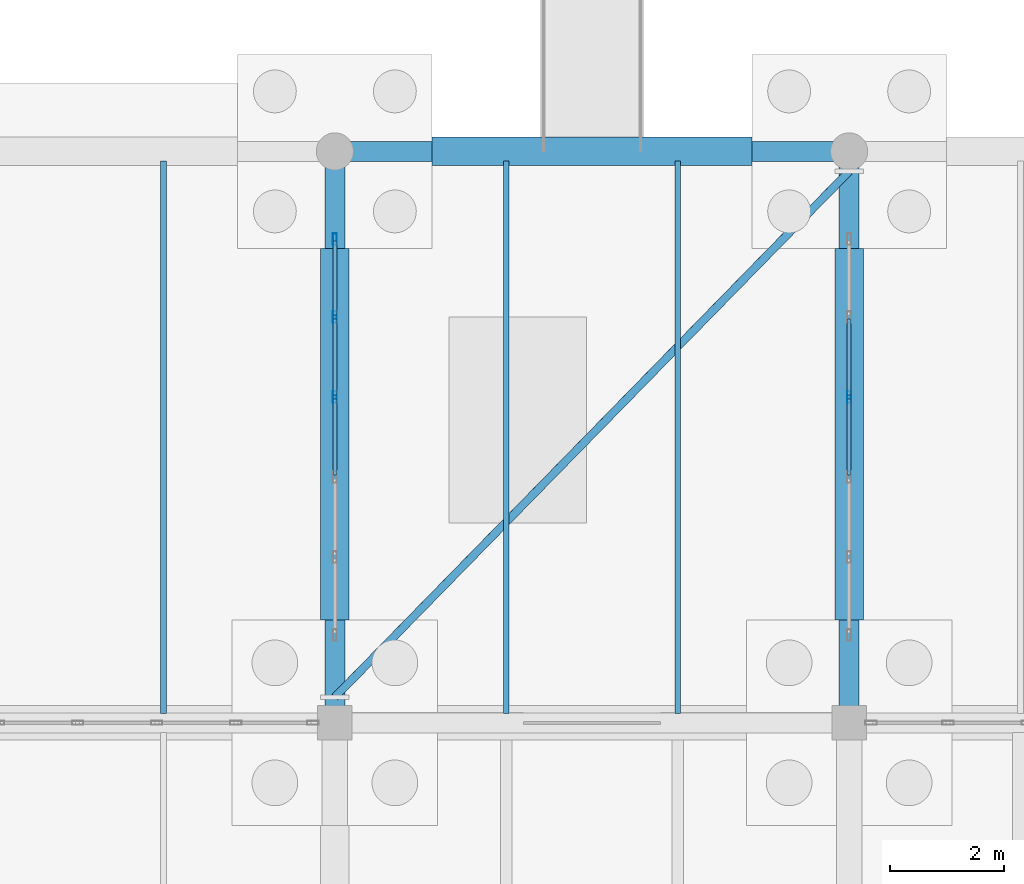
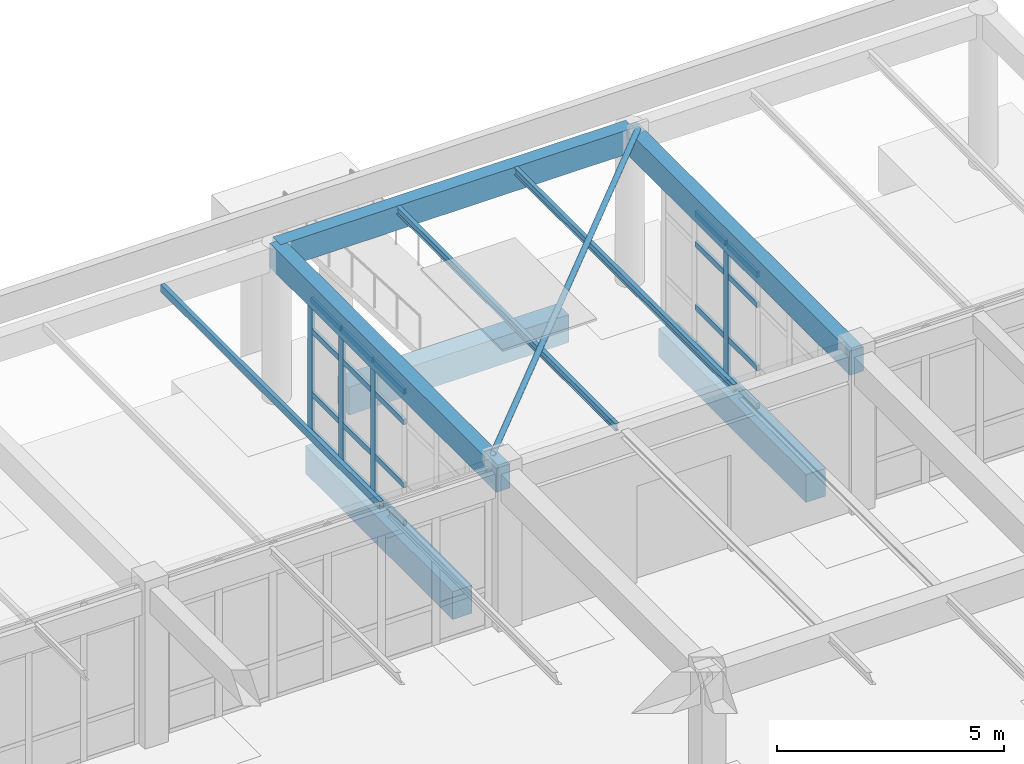
# One storey, part 139 of 186: 25 members, 9 beams, 2 elements without a shape of their own.
"""IFC4 building model written with IfcOpenShell, lengths in metres."""

from ifc_helpers import new_model, si_unit, direction, frame, origin, origin_2d, place, context, subcontext, project, spatial, rectangle, hollow_rectangle, hollow_circle, i_section, extrude, material, layer, layer_set, material_profile, profile_set, type_object, element, aggregate, save


model = new_model("IFC4")

# Units and contexts
model_context = context("Model", 3, precision=1e-05, world=origin(), true_north=direction((0.0, 1.0)))
body_context = subcontext(model_context, "Body", "Model", "MODEL_VIEW")
ifc_project = project(units=[si_unit("LENGTHUNIT", "METRE"), si_unit("AREAUNIT", "SQUARE_METRE"), si_unit("VOLUMEUNIT", "CUBIC_METRE"), si_unit("PLANEANGLEUNIT", "RADIAN"), si_unit("MASSUNIT", "GRAM", prefix="KILO")], contexts=[model_context])

# Site, building, storey
site_placement = place(None, origin())
site = spatial("IfcSite", under=ifc_project, at=site_placement, CompositionType="ELEMENT")
building_placement = place(site_placement, origin())
building = spatial("IfcBuilding", under=site, at=building_placement, Name="Ornek Quay Market", CompositionType="ELEMENT")
storey_placement = place(building_placement, origin())
storey = spatial("IfcBuildingStorey", under=building, at=storey_placement, Name="L00", CompositionType="ELEMENT", Elevation=0.0)

# Beams
ifc_material_1 = material(Name="Concrete C35/45", Category="concrete")
ifc_material_profile_1 = material_profile(ifc_material_1, rectangle(XDim=0.35009765625, YDim=0.64990234375, at=origin_2d()), Name="RC 350x650", Category="concrete")
ifc_profile_set_1 = profile_set([ifc_material_profile_1], Name="Concrete C35/45")
beam_type_1 = type_object("IfcBeamType", Name="BM-CONC-350x650", PredefinedType="BEAM", material=ifc_profile_set_1)
beam_1_placement = place(storey_placement, frame((162.0, 120.0, 3.864990234375), z_axis=(1.0, 0.0, 0.0), x_axis=(0.0, 1.0, 0.0)))
element("IfcBeam", 1, at=beam_1_placement, inside=storey, type_object=beam_type_1, Name="Primary beam B-CN1-043", PredefinedType="BEAM", context=body_context, shape_type="SweptSolid", body=[
    extrude(rectangle(XDim=0.35009765625, YDim=0.64990234375, at=origin_2d()), origin(), (0.0, 0.0, 1.0), 9.0),
])
for number, where, z_axis, x_axis, name in (
    (2, (162.0, 110.0, 3.864990234375), (0.0, 1.0, 0.0), (-1.0, 0.0, 0.0), "Primary beam B-CN1-049"),
    (3, (171.0, 110.0, 3.864990234375), (0.0, 1.0, 0.0), (-1.0, 0.0, 0.0), "Primary beam B-CN1-050"),
):
    element("IfcBeam", number, at=place(storey_placement, frame(where, z_axis=z_axis, x_axis=x_axis)), inside=storey, type_object=beam_type_1, Name=name, PredefinedType="BEAM", context=body_context, shape_type="SweptSolid", body=[
        extrude(rectangle(XDim=0.35009765625, YDim=0.64990234375, at=origin_2d()), origin(), (0.0, 0.0, 1.0), 10.0),
    ])
ifc_material_profile_2 = material_profile(ifc_material_1, rectangle(XDim=0.5, YDim=0.75, at=origin_2d()), Name="RC 500x750", Category="concrete")
ifc_profile_set_2 = profile_set([ifc_material_profile_2], Name="Concrete C35/45")
beam_type_2 = type_object("IfcBeamType", Name="BM-GB-500x750", PredefinedType="BEAM", material=ifc_profile_set_2)
beam_2_placement = place(storey_placement, frame((163.699951171875, 120.0, -0.574951171875), z_axis=(1.0, 0.0, 0.0), x_axis=(0.0, 1.0, 0.0)))
element("IfcBeam", 4, at=beam_2_placement, inside=storey, type_object=beam_type_2, Name="Ground tie beam GB-360", PredefinedType="BEAM", context=body_context, shape_type="SweptSolid", body=[
    extrude(rectangle(XDim=0.5, YDim=0.75, at=origin_2d()), origin(), (0.0, 0.0, 1.0), 5.60009765625),
])
for number, where, z_axis, x_axis, name in (
    (5, (162.0, 111.800048828125, -0.574951171875), (0.0, 1.0, 0.0), (-1.0, 0.0, 0.0), "Ground tie beam GB-411"),
    (6, (171.0, 111.800048828125, -0.574951171875), (0.0, 1.0, 0.0), (-1.0, 0.0, 0.0), "Ground tie beam GB-418"),
):
    element("IfcBeam", number, at=place(storey_placement, frame(where, z_axis=z_axis, x_axis=x_axis)), inside=storey, type_object=beam_type_2, Name=name, PredefinedType="BEAM", context=body_context, shape_type="SweptSolid", body=[
        extrude(rectangle(XDim=0.5, YDim=0.75, at=origin_2d()), origin(), (0.0, 0.0, 1.0), 6.5),
    ])
ifc_material_2 = material(Name="Steel S355", Category="steel")
ifc_material_profile_3 = material_profile(ifc_material_2, hollow_rectangle(XDim=0.10009765625, YDim=0.199951171875, WallThickness=0.010009765625, at=origin_2d()), Name="RHS 200x100x10", Category="steel")
ifc_profile_set_3 = profile_set([ifc_material_profile_3], Name="Steel S355")
beam_type_3 = type_object("IfcBeamType", Name="BM-RHS-RHS200x100x10", PredefinedType="BEAM", material=ifc_profile_set_3)
beam_3_placement = place(storey_placement, frame((159.0, 110.1669921875, 4.090087890625), z_axis=(0.0, 1.0, 0.0), x_axis=(-1.0, 0.0, 0.0)))
element("IfcBeam", 7, at=beam_3_placement, inside=storey, type_object=beam_type_3, Name="Secondary joist SR-04-008", PredefinedType="BEAM", context=body_context, shape_type="SweptSolid", body=[
    extrude(hollow_rectangle(XDim=0.10009765625, YDim=0.199951171875, WallThickness=0.010009765625, at=origin_2d()), origin(), (0.0, 0.0, 1.0), 9.666015625),
])
ifc_material_profile_4 = material_profile(ifc_material_2, i_section(OverallWidth=0.10009765625, OverallDepth=0.199951171875, WebThickness=0.005615234375, FlangeThickness=0.008544921875, FilletRadius=0.011962890625, at=origin_2d()), Name="IPE 200", Category="steel")
ifc_profile_set_4 = profile_set([ifc_material_profile_4], Name="Steel S355")
beam_type_4 = type_object("IfcBeamType", Name="BM-STL-IPE200", PredefinedType="JOIST", material=ifc_profile_set_4)
for number, where, z_axis, x_axis, name in (
    (8, (165.0, 110.1669921875, 4.090087890625), (0.0, 1.0, 0.0), (-1.0, 0.0, 0.0), "Secondary joist SB-02-011"),
    (9, (168.0, 110.1669921875, 4.090087890625), (0.0, 1.0, 0.0), (-1.0, 0.0, 0.0), "Secondary joist SB-02-012"),
):
    element("IfcBeam", number, at=place(storey_placement, frame(where, z_axis=z_axis, x_axis=x_axis)), inside=storey, type_object=beam_type_4, Name=name, PredefinedType="JOIST", context=body_context, shape_type="SweptSolid", body=[
        extrude(i_section(OverallWidth=0.10009765625, OverallDepth=0.199951171875, WebThickness=0.005615234375, FlangeThickness=0.008544921875, FilletRadius=0.011962890625, at=origin_2d()), origin(), (0.0, 0.0, 1.0), 9.666015625),
    ])

# Curtain wall, members
ifc_material_3 = material(Name="Anodised bronze aluminium and triple low-e glass", Category="aluminium")
ifc_layer = layer(ifc_material_3, 0.219970703125, Name="Anodised bronze aluminium and triple low-e glass", Category="aluminium")
ifc_layer_set = layer_set([ifc_layer], Name="Anodised bronze aluminium and triple low-e glass")
curtain_wall_type = type_object("IfcCurtainWallType", Name="CW-PORCH-MOD1500", PredefinedType="USERDEFINED", material=ifc_layer_set)
curtain_wall_1_placement = place(storey_placement, origin())
curtain_wall_1 = element("IfcCurtainWall", 10, at=curtain_wall_1_placement, inside=storey, type_object=curtain_wall_type, Name="Curtain wall CW-157", ObjectType="CURTAIN WALL", PredefinedType="USERDEFINED")
ifc_material_4 = material(Name="Anodised aluminium 6063-T6", Category="aluminium")
ifc_material_profile_5 = material_profile(ifc_material_4, hollow_rectangle(XDim=0.070068359375, YDim=0.199951171875, WallThickness=0.0048828125, at=origin_2d()), Name="CW-MUL-70x200", Category="aluminium")
ifc_profile_set_5 = profile_set([ifc_material_profile_5], Name="Anodised aluminium 6063-T6")
member_type_1 = type_object("IfcMemberType", Name="CW-MUL-70x200", PredefinedType="MULLION", material=ifc_profile_set_5)
member_1_placement = place(storey_placement, frame((162.0, 115.699951171875, 0.0), z_axis=(0.0, 0.0, 1.0), x_axis=(-1.0, 0.0, 0.0)))
member_1 = element("IfcMember", 11, at=member_1_placement, type_object=member_type_1, Name="CW-157 mullion 4", PredefinedType="MULLION", context=body_context, shape_type="SweptSolid", body=[
    extrude(hollow_rectangle(XDim=0.070068359375, YDim=0.199951171875, WallThickness=0.0048828125, at=origin_2d()), origin(), (0.0, 0.0, 1.0), 3.60009765625),
])
member_2_placement = place(storey_placement, frame((162.0, 117.10009765625, 0.0), z_axis=(0.0, 0.0, 1.0), x_axis=(-1.0, 0.0, 0.0)))
member_2 = element("IfcMember", 12, at=member_2_placement, type_object=member_type_1, Name="CW-157 mullion 5", PredefinedType="MULLION", context=body_context, shape_type="SweptSolid", body=[
    extrude(hollow_rectangle(XDim=0.070068359375, YDim=0.199951171875, WallThickness=0.0048828125, at=origin_2d()), origin(), (0.0, 0.0, 1.0), 3.60009765625),
])
member_3_placement = place(storey_placement, frame((162.0, 118.465087890625, 0.0), z_axis=(0.0, 0.0, 1.0), x_axis=(-1.0, 0.0, 0.0)))
member_3 = element("IfcMember", 13, at=member_3_placement, type_object=member_type_1, Name="CW-157 mullion 6", PredefinedType="MULLION", context=body_context, shape_type="SweptSolid", body=[
    extrude(hollow_rectangle(XDim=0.070068359375, YDim=0.199951171875, WallThickness=0.0048828125, at=origin_2d()), origin(), (0.0, 0.0, 1.0), 3.60009765625),
])

# Curtain wall, member
curtain_wall_2_placement = place(storey_placement, origin())
curtain_wall_2 = element("IfcCurtainWall", 14, at=curtain_wall_2_placement, inside=storey, type_object=curtain_wall_type, Name="Curtain wall CW-158", ObjectType="CURTAIN WALL", PredefinedType="USERDEFINED")
member_4_placement = place(storey_placement, frame((171.0, 115.699951171875, 0.0), z_axis=(0.0, 0.0, 1.0), x_axis=(-1.0, 0.0, 0.0)))
member_4 = element("IfcMember", 15, at=member_4_placement, type_object=member_type_1, Name="CW-158 mullion 4", PredefinedType="MULLION", context=body_context, shape_type="SweptSolid", body=[
    extrude(hollow_rectangle(XDim=0.070068359375, YDim=0.199951171875, WallThickness=0.0048828125, at=origin_2d()), origin(), (0.0, 0.0, 1.0), 3.60009765625),
])

# Member
ifc_material_profile_6 = material_profile(ifc_material_4, hollow_rectangle(XDim=0.070068359375, YDim=0.14990234375, WallThickness=0.0048828125, at=origin_2d()), Name="CW-TRN-70x150", Category="aluminium")
ifc_profile_set_6 = profile_set([ifc_material_profile_6], Name="Anodised aluminium 6063-T6")
member_type_2 = type_object("IfcMemberType", Name="CW-TRN-70x150", PredefinedType="USERDEFINED", material=ifc_profile_set_6)
member_5_placement = place(storey_placement, frame((162.0, 114.3349609375, 0.034912109375), z_axis=(0.0, 1.0, 0.0), x_axis=(-1.0, 0.0, 0.0)))
member_5 = element("IfcMember", 16, at=member_5_placement, type_object=member_type_2, Name="CW-157 transom 3.1", ObjectType="TRANSOM", PredefinedType="USERDEFINED", context=body_context, shape_type="SweptSolid", body=[
    extrude(hollow_rectangle(XDim=0.070068359375, YDim=0.14990234375, WallThickness=0.0048828125, at=origin_2d()), origin(), (0.0, 0.0, 1.0), 1.330078125),
])

member_6_placement = place(storey_placement, frame((162.0, 114.3349609375, 1.050048828125), z_axis=(0.0, 1.0, 0.0), x_axis=(-1.0, 0.0, 0.0)))
member_6 = element("IfcMember", 17, at=member_6_placement, type_object=member_type_2, Name="CW-157 transom 3.2", ObjectType="TRANSOM", PredefinedType="USERDEFINED", context=body_context, shape_type="SweptSolid", body=[
    extrude(hollow_rectangle(XDim=0.070068359375, YDim=0.14990234375, WallThickness=0.0048828125, at=origin_2d()), origin(), (0.0, 0.0, 1.0), 1.330078125),
])

member_7_placement = place(storey_placement, frame((162.0, 114.3349609375, 2.75), z_axis=(0.0, 1.0, 0.0), x_axis=(-1.0, 0.0, 0.0)))
member_7 = element("IfcMember", 18, at=member_7_placement, type_object=member_type_2, Name="CW-157 transom 3.3", ObjectType="TRANSOM", PredefinedType="USERDEFINED", context=body_context, shape_type="SweptSolid", body=[
    extrude(hollow_rectangle(XDim=0.070068359375, YDim=0.14990234375, WallThickness=0.0048828125, at=origin_2d()), origin(), (0.0, 0.0, 1.0), 1.330078125),
])

member_8_placement = place(storey_placement, frame((162.0, 114.3349609375, 3.56494140625), z_axis=(0.0, 1.0, 0.0), x_axis=(-1.0, 0.0, 0.0)))
member_8 = element("IfcMember", 19, at=member_8_placement, type_object=member_type_2, Name="CW-157 transom 3.4", ObjectType="TRANSOM", PredefinedType="USERDEFINED", context=body_context, shape_type="SweptSolid", body=[
    extrude(hollow_rectangle(XDim=0.070068359375, YDim=0.14990234375, WallThickness=0.0048828125, at=origin_2d()), origin(), (0.0, 0.0, 1.0), 1.330078125),
])

member_9_placement = place(storey_placement, frame((162.0, 115.735107421875, 0.034912109375), z_axis=(0.0, 1.0, 0.0), x_axis=(-1.0, 0.0, 0.0)))
member_9 = element("IfcMember", 20, at=member_9_placement, type_object=member_type_2, Name="CW-157 transom 4.1", ObjectType="TRANSOM", PredefinedType="USERDEFINED", context=body_context, shape_type="SweptSolid", body=[
    extrude(hollow_rectangle(XDim=0.070068359375, YDim=0.14990234375, WallThickness=0.0048828125, at=origin_2d()), origin(), (0.0, 0.0, 1.0), 1.329833984375),
])

member_10_placement = place(storey_placement, frame((162.0, 115.735107421875, 1.050048828125), z_axis=(0.0, 1.0, 0.0), x_axis=(-1.0, 0.0, 0.0)))
member_10 = element("IfcMember", 21, at=member_10_placement, type_object=member_type_2, Name="CW-157 transom 4.2", ObjectType="TRANSOM", PredefinedType="USERDEFINED", context=body_context, shape_type="SweptSolid", body=[
    extrude(hollow_rectangle(XDim=0.070068359375, YDim=0.14990234375, WallThickness=0.0048828125, at=origin_2d()), origin(), (0.0, 0.0, 1.0), 1.329833984375),
])

member_11_placement = place(storey_placement, frame((162.0, 115.735107421875, 2.75), z_axis=(0.0, 1.0, 0.0), x_axis=(-1.0, 0.0, 0.0)))
member_11 = element("IfcMember", 22, at=member_11_placement, type_object=member_type_2, Name="CW-157 transom 4.3", ObjectType="TRANSOM", PredefinedType="USERDEFINED", context=body_context, shape_type="SweptSolid", body=[
    extrude(hollow_rectangle(XDim=0.070068359375, YDim=0.14990234375, WallThickness=0.0048828125, at=origin_2d()), origin(), (0.0, 0.0, 1.0), 1.329833984375),
])

member_12_placement = place(storey_placement, frame((162.0, 115.735107421875, 3.56494140625), z_axis=(0.0, 1.0, 0.0), x_axis=(-1.0, 0.0, 0.0)))
member_12 = element("IfcMember", 23, at=member_12_placement, type_object=member_type_2, Name="CW-157 transom 4.4", ObjectType="TRANSOM", PredefinedType="USERDEFINED", context=body_context, shape_type="SweptSolid", body=[
    extrude(hollow_rectangle(XDim=0.070068359375, YDim=0.14990234375, WallThickness=0.0048828125, at=origin_2d()), origin(), (0.0, 0.0, 1.0), 1.329833984375),
])

member_13_placement = place(storey_placement, frame((162.0, 117.135009765625, 0.034912109375), z_axis=(0.0, 1.0, 0.0), x_axis=(-1.0, 0.0, 0.0)))
member_13 = element("IfcMember", 24, at=member_13_placement, type_object=member_type_2, Name="CW-157 transom 5.1", ObjectType="TRANSOM", PredefinedType="USERDEFINED", context=body_context, shape_type="SweptSolid", body=[
    extrude(hollow_rectangle(XDim=0.070068359375, YDim=0.14990234375, WallThickness=0.0048828125, at=origin_2d()), origin(), (0.0, 0.0, 1.0), 1.294921875),
])

member_14_placement = place(storey_placement, frame((162.0, 117.135009765625, 1.050048828125), z_axis=(0.0, 1.0, 0.0), x_axis=(-1.0, 0.0, 0.0)))
member_14 = element("IfcMember", 25, at=member_14_placement, type_object=member_type_2, Name="CW-157 transom 5.2", ObjectType="TRANSOM", PredefinedType="USERDEFINED", context=body_context, shape_type="SweptSolid", body=[
    extrude(hollow_rectangle(XDim=0.070068359375, YDim=0.14990234375, WallThickness=0.0048828125, at=origin_2d()), origin(), (0.0, 0.0, 1.0), 1.294921875),
])

member_15_placement = place(storey_placement, frame((162.0, 117.135009765625, 2.75), z_axis=(0.0, 1.0, 0.0), x_axis=(-1.0, 0.0, 0.0)))
member_15 = element("IfcMember", 26, at=member_15_placement, type_object=member_type_2, Name="CW-157 transom 5.3", ObjectType="TRANSOM", PredefinedType="USERDEFINED", context=body_context, shape_type="SweptSolid", body=[
    extrude(hollow_rectangle(XDim=0.070068359375, YDim=0.14990234375, WallThickness=0.0048828125, at=origin_2d()), origin(), (0.0, 0.0, 1.0), 1.294921875),
])

member_16_placement = place(storey_placement, frame((162.0, 117.135009765625, 3.56494140625), z_axis=(0.0, 1.0, 0.0), x_axis=(-1.0, 0.0, 0.0)))
member_16 = element("IfcMember", 27, at=member_16_placement, type_object=member_type_2, Name="CW-157 transom 5.4", ObjectType="TRANSOM", PredefinedType="USERDEFINED", context=body_context, shape_type="SweptSolid", body=[
    extrude(hollow_rectangle(XDim=0.070068359375, YDim=0.14990234375, WallThickness=0.0048828125, at=origin_2d()), origin(), (0.0, 0.0, 1.0), 1.294921875),
])

aggregate(curtain_wall_1, [member_1, member_2, member_3, member_5, member_6, member_7, member_8, member_9, member_10, member_11, member_12, member_13, member_14, member_15, member_16])

member_17_placement = place(storey_placement, frame((171.0, 114.3349609375, 0.034912109375), z_axis=(0.0, 1.0, 0.0), x_axis=(-1.0, 0.0, 0.0)))
member_17 = element("IfcMember", 28, at=member_17_placement, type_object=member_type_2, Name="CW-158 transom 3.1", ObjectType="TRANSOM", PredefinedType="USERDEFINED", context=body_context, shape_type="SweptSolid", body=[
    extrude(hollow_rectangle(XDim=0.070068359375, YDim=0.14990234375, WallThickness=0.0048828125, at=origin_2d()), origin(), (0.0, 0.0, 1.0), 1.330078125),
])

member_18_placement = place(storey_placement, frame((171.0, 114.3349609375, 1.050048828125), z_axis=(0.0, 1.0, 0.0), x_axis=(-1.0, 0.0, 0.0)))
member_18 = element("IfcMember", 29, at=member_18_placement, type_object=member_type_2, Name="CW-158 transom 3.2", ObjectType="TRANSOM", PredefinedType="USERDEFINED", context=body_context, shape_type="SweptSolid", body=[
    extrude(hollow_rectangle(XDim=0.070068359375, YDim=0.14990234375, WallThickness=0.0048828125, at=origin_2d()), origin(), (0.0, 0.0, 1.0), 1.330078125),
])

member_19_placement = place(storey_placement, frame((171.0, 114.3349609375, 2.75), z_axis=(0.0, 1.0, 0.0), x_axis=(-1.0, 0.0, 0.0)))
member_19 = element("IfcMember", 30, at=member_19_placement, type_object=member_type_2, Name="CW-158 transom 3.3", ObjectType="TRANSOM", PredefinedType="USERDEFINED", context=body_context, shape_type="SweptSolid", body=[
    extrude(hollow_rectangle(XDim=0.070068359375, YDim=0.14990234375, WallThickness=0.0048828125, at=origin_2d()), origin(), (0.0, 0.0, 1.0), 1.330078125),
])

member_20_placement = place(storey_placement, frame((171.0, 114.3349609375, 3.56494140625), z_axis=(0.0, 1.0, 0.0), x_axis=(-1.0, 0.0, 0.0)))
member_20 = element("IfcMember", 31, at=member_20_placement, type_object=member_type_2, Name="CW-158 transom 3.4", ObjectType="TRANSOM", PredefinedType="USERDEFINED", context=body_context, shape_type="SweptSolid", body=[
    extrude(hollow_rectangle(XDim=0.070068359375, YDim=0.14990234375, WallThickness=0.0048828125, at=origin_2d()), origin(), (0.0, 0.0, 1.0), 1.330078125),
])

member_21_placement = place(storey_placement, frame((171.0, 115.735107421875, 0.034912109375), z_axis=(0.0, 1.0, 0.0), x_axis=(-1.0, 0.0, 0.0)))
member_21 = element("IfcMember", 32, at=member_21_placement, type_object=member_type_2, Name="CW-158 transom 4.1", ObjectType="TRANSOM", PredefinedType="USERDEFINED", context=body_context, shape_type="SweptSolid", body=[
    extrude(hollow_rectangle(XDim=0.070068359375, YDim=0.14990234375, WallThickness=0.0048828125, at=origin_2d()), origin(), (0.0, 0.0, 1.0), 1.329833984375),
])

member_22_placement = place(storey_placement, frame((171.0, 115.735107421875, 1.050048828125), z_axis=(0.0, 1.0, 0.0), x_axis=(-1.0, 0.0, 0.0)))
member_22 = element("IfcMember", 33, at=member_22_placement, type_object=member_type_2, Name="CW-158 transom 4.2", ObjectType="TRANSOM", PredefinedType="USERDEFINED", context=body_context, shape_type="SweptSolid", body=[
    extrude(hollow_rectangle(XDim=0.070068359375, YDim=0.14990234375, WallThickness=0.0048828125, at=origin_2d()), origin(), (0.0, 0.0, 1.0), 1.329833984375),
])

member_23_placement = place(storey_placement, frame((171.0, 115.735107421875, 2.75), z_axis=(0.0, 1.0, 0.0), x_axis=(-1.0, 0.0, 0.0)))
member_23 = element("IfcMember", 34, at=member_23_placement, type_object=member_type_2, Name="CW-158 transom 4.3", ObjectType="TRANSOM", PredefinedType="USERDEFINED", context=body_context, shape_type="SweptSolid", body=[
    extrude(hollow_rectangle(XDim=0.070068359375, YDim=0.14990234375, WallThickness=0.0048828125, at=origin_2d()), origin(), (0.0, 0.0, 1.0), 1.329833984375),
])

member_24_placement = place(storey_placement, frame((171.0, 115.735107421875, 3.56494140625), z_axis=(0.0, 1.0, 0.0), x_axis=(-1.0, 0.0, 0.0)))
member_24 = element("IfcMember", 35, at=member_24_placement, type_object=member_type_2, Name="CW-158 transom 4.4", ObjectType="TRANSOM", PredefinedType="USERDEFINED", context=body_context, shape_type="SweptSolid", body=[
    extrude(hollow_rectangle(XDim=0.070068359375, YDim=0.14990234375, WallThickness=0.0048828125, at=origin_2d()), origin(), (0.0, 0.0, 1.0), 1.329833984375),
])

aggregate(curtain_wall_2, [member_4, member_17, member_18, member_19, member_20, member_21, member_22, member_23, member_24])

ifc_material_profile_7 = material_profile(ifc_material_2, hollow_circle(Radius=0.06982421875, WallThickness=0.008056640625, at=origin_2d()), Name="CHS 139.7x8", Category="steel")
ifc_profile_set_7 = profile_set([ifc_material_profile_7], Name="Steel S355")
member_type_3 = type_object("IfcMemberType", Name="MBR-BRC-CHS139", PredefinedType="BRACE", material=ifc_profile_set_7)
member_25_placement = place(storey_placement, frame((162.0, 110.449951171875, 4.260009765625), z_axis=(0.699296051965, 0.714832170307, 0.0), x_axis=(-0.714832170307, 0.699296051965, 0.0)))
element("IfcMember", 36, at=member_25_placement, inside=storey, type_object=member_type_3, Name="Quay colonnade wind brace QB-06", PredefinedType="BRACE", context=body_context, shape_type="SweptSolid", body=[
    extrude(hollow_circle(Radius=0.06982421875, WallThickness=0.008056640625, at=origin_2d()), origin(), (0.0, 0.0, 1.0), 12.8701171875),
])

save(model, "model.ifc")
